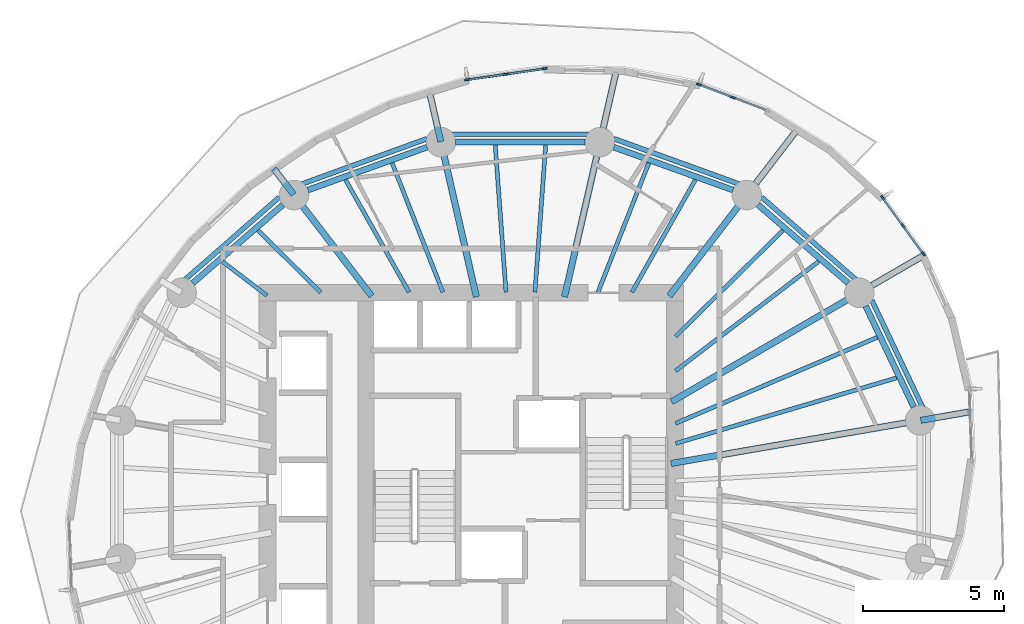
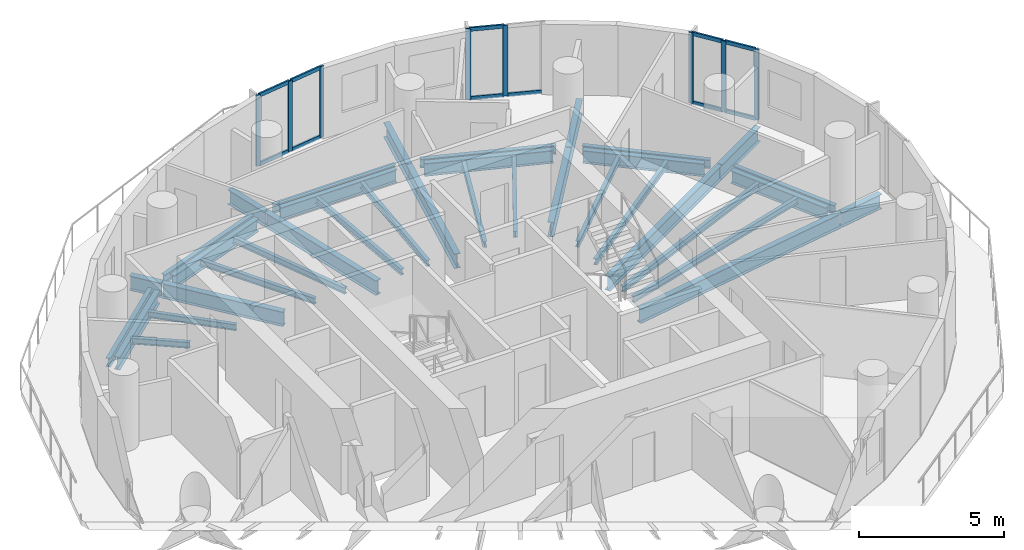
# One storey, part 3 of 14: 36 beams, 19 members, 3 elements without a shape of their own.
"""IFC4 building model written with IfcOpenShell, lengths in metres."""

from ifc_helpers import new_model, si_unit, direction, frame, origin, origin_2d, place, context, subcontext, project, spatial, rectangle, i_section, extrude, material, material_profile, profile_set, type_object, element, aggregate, save


model = new_model("IFC4")

# Units and contexts
model_context = context("Model", 3, precision=1e-05, world=origin(), true_north=direction((0.0, 1.0)))
body_context = subcontext(model_context, "Body", "Model", "MODEL_VIEW")
ifc_project = project(units=[si_unit("LENGTHUNIT", "METRE"), si_unit("AREAUNIT", "SQUARE_METRE"), si_unit("VOLUMEUNIT", "CUBIC_METRE"), si_unit("PLANEANGLEUNIT", "RADIAN"), si_unit("MASSUNIT", "GRAM", prefix="KILO")], contexts=[model_context])

# Site, building, storey
site_placement = place(None, origin())
site = spatial("IfcSite", under=ifc_project, at=site_placement, CompositionType="ELEMENT")
building_placement = place(site_placement, origin())
building = spatial("IfcBuilding", under=site, at=building_placement, Name="Veldorim Arch Residences", CompositionType="ELEMENT")
storey_placement = place(building_placement, frame((0.0, 0.0, 126.56005859375)))
storey = spatial("IfcBuildingStorey", under=building, at=storey_placement, Name="L37", CompositionType="ELEMENT", Elevation=126.56005859375)

# Beams
ifc_material_1 = material(Name="Steel S355", Category="steel")
ifc_material_profile_1 = material_profile(ifc_material_1, i_section(OverallWidth=0.2099609375, OverallDepth=0.53662109375, WebThickness=0.0107421875, FlangeThickness=0.017333984375, at=origin_2d()), Name="UB533x210x101")
ifc_profile_set_1 = profile_set([ifc_material_profile_1], Name="Steel S355")
beam_type_1 = type_object("IfcBeamType", Name="Structural Steel Beam UB533x210x101", PredefinedType="BEAM", material=ifc_profile_set_1)
beam_1_placement = place(storey_placement, frame((45.99560546875, 26.931884765625, -0.508544921875), z_axis=(-0.43028577851, 0.902692721147, 0.0), x_axis=(-0.902692721147, -0.43028577851, 0.0)))
element("IfcBeam", 1, at=beam_1_placement, inside=storey, type_object=beam_type_1, Name="L37 perimeter ring tie beam 01", PredefinedType="BEAM", context=body_context, shape_type="SweptSolid", body=[
    extrude(i_section(OverallWidth=0.2099609375, OverallDepth=0.53662109375, WebThickness=0.0107421875, FlangeThickness=0.017333984375, at=origin_2d()), origin(), (0.0, 0.0, 1.0), 3.98193359375),
])
beam_2_placement = place(storey_placement, frame((43.659912109375, 31.344482421875, -0.508544921875), z_axis=(-0.754810789581, 0.655942582802, 0.0), x_axis=(-0.655942582802, -0.754810789581, 0.0)))
element("IfcBeam", 2, at=beam_2_placement, inside=storey, type_object=beam_type_1, Name="L37 perimeter ring tie beam 02", PredefinedType="BEAM", context=body_context, shape_type="SweptSolid", body=[
    extrude(i_section(OverallWidth=0.2099609375, OverallDepth=0.53662109375, WebThickness=0.0107421875, FlangeThickness=0.017333984375, at=origin_2d()), origin(), (0.0, 0.0, 1.0), 4.249755859375),
])
beam_3_placement = place(storey_placement, frame((39.561767578125, 34.654296875, -0.508544921875), z_axis=(-0.940899155006, 0.338686846673, 0.0), x_axis=(-0.338686846673, -0.940899155006, 0.0)))
element("IfcBeam", 3, at=beam_3_placement, inside=storey, type_object=beam_type_1, Name="L37 perimeter ring tie beam 03", PredefinedType="BEAM", context=body_context, shape_type="SweptSolid", body=[
    extrude(i_section(OverallWidth=0.2099609375, OverallDepth=0.53662109375, WebThickness=0.0107421875, FlangeThickness=0.017333984375, at=origin_2d()), origin(), (0.0, 0.0, 1.0), 4.50537109375),
])
beam_4_placement = place(storey_placement, frame((34.3037109375, 36.35791015625, -0.508544921875), z_axis=(-1.0, 0.0, 0.0), x_axis=(0.0, -1.0, 0.0)))
element("IfcBeam", 4, at=beam_4_placement, inside=storey, type_object=beam_type_1, Name="L37 perimeter ring tie beam 04", PredefinedType="BEAM", context=body_context, shape_type="SweptSolid", body=[
    extrude(i_section(OverallWidth=0.2099609375, OverallDepth=0.53662109375, WebThickness=0.0107421875, FlangeThickness=0.017333984375, at=origin_2d()), origin(), (0.0, 0.0, 1.0), 4.607421875),
])
beam_5_placement = place(storey_placement, frame((28.67724609375, 36.18017578125, -0.508544921875), z_axis=(-0.940899155006, -0.338686846673, 0.0), x_axis=(0.338686846673, -0.940899155006, 0.0)))
element("IfcBeam", 5, at=beam_5_placement, inside=storey, type_object=beam_type_1, Name="L37 perimeter ring tie beam 05", PredefinedType="BEAM", context=body_context, shape_type="SweptSolid", body=[
    extrude(i_section(OverallWidth=0.2099609375, OverallDepth=0.53662109375, WebThickness=0.0107421875, FlangeThickness=0.017333984375, at=origin_2d()), origin(), (0.0, 0.0, 1.0), 4.50537109375),
])
beam_6_placement = place(storey_placement, frame((23.5478515625, 34.132080078125, -0.508544921875), z_axis=(-0.754810789581, -0.655942582802, 0.0), x_axis=(0.655942582802, -0.754810789581, 0.0)))
element("IfcBeam", 6, at=beam_6_placement, inside=storey, type_object=beam_type_1, Name="L37 perimeter ring tie beam 06", PredefinedType="BEAM", context=body_context, shape_type="SweptSolid", body=[
    extrude(i_section(OverallWidth=0.2099609375, OverallDepth=0.53662109375, WebThickness=0.0107421875, FlangeThickness=0.017333984375, at=origin_2d()), origin(), (0.0, 0.0, 1.0), 4.249755859375),
])
ifc_material_2 = material(Name="Steel S355", Category="steel")
ifc_material_profile_2 = material_profile(ifc_material_2, i_section(OverallWidth=0.22900390625, OverallDepth=0.6123046875, WebThickness=0.011962890625, FlangeThickness=0.01953125, at=origin_2d()), Name="UB610x229x125")
ifc_profile_set_2 = profile_set([ifc_material_profile_2], Name="Steel S355")
beam_type_2 = type_object("IfcBeamType", Name="Structural Steel Beam UB610x229x125", PredefinedType="BEAM", material=ifc_profile_set_2)
beam_7_placement = place(storey_placement, frame((37.352294921875, 24.925048828125, -0.546142578125), z_axis=(0.985389398766, 0.170316566427, 0.0), x_axis=(-0.170316566427, 0.985389398766, 0.0)))
element("IfcBeam", 7, at=beam_7_placement, inside=storey, type_object=beam_type_2, Name="L37 radial floor girder 01", PredefinedType="BEAM", context=body_context, shape_type="SweptSolid", body=[
    extrude(i_section(OverallWidth=0.22900390625, OverallDepth=0.6123046875, WebThickness=0.011962890625, FlangeThickness=0.01953125, at=origin_2d()), origin(), (0.0, 0.0, 1.0), 8.98046875),
])
beam_8_placement = place(storey_placement, frame((46.2412109375, 26.46142578125, -0.546142578125), z_axis=(0.985382949726, 0.170353874007, 0.0), x_axis=(-0.170353874007, 0.985382949726, 0.0)))
element("IfcBeam", 8, at=beam_8_placement, inside=storey, type_object=beam_type_2, Name="L37 radial edge cantilever girder 01", PredefinedType="BEAM", context=body_context, shape_type="SweptSolid", body=[
    extrude(i_section(OverallWidth=0.22900390625, OverallDepth=0.6123046875, WebThickness=0.011962890625, FlangeThickness=0.01953125, at=origin_2d()), origin(), (0.0, 0.0, 1.0), 1.774169921875),
])
beam_9_placement = place(storey_placement, frame((37.370361328125, 27.1181640625, -0.546142578125), z_axis=(0.864793381443, 0.502127879542, 0.0), x_axis=(-0.502127879542, 0.864793381443, 0.0)))
element("IfcBeam", 9, at=beam_9_placement, inside=storey, type_object=beam_type_2, Name="L37 radial floor girder 02", PredefinedType="BEAM", context=body_context, shape_type="SweptSolid", body=[
    extrude(i_section(OverallWidth=0.22900390625, OverallDepth=0.6123046875, WebThickness=0.011962890625, FlangeThickness=0.01953125, at=origin_2d()), origin(), (0.0, 0.0, 1.0), 7.71142578125),
])
beam_10_placement = place(storey_placement, frame((44.073486328125, 31.01025390625, -0.546142578125), z_axis=(0.86480840732, 0.502102000223, 0.0), x_axis=(-0.502102000223, 0.86480840732, 0.0)))
element("IfcBeam", 10, at=beam_10_placement, inside=storey, type_object=beam_type_2, Name="L37 radial edge cantilever girder 02", PredefinedType="BEAM", context=body_context, shape_type="SweptSolid", body=[
    extrude(i_section(OverallWidth=0.22900390625, OverallDepth=0.6123046875, WebThickness=0.011962890625, FlangeThickness=0.01953125, at=origin_2d()), origin(), (0.0, 0.0, 1.0), 2.635986328125),
])
beam_11_placement = place(storey_placement, frame((37.291259765625, 30.881103515625, -0.546142578125), z_axis=(0.609559199361, 0.792740551804, 0.0), x_axis=(-0.792740551804, 0.609559199361, 0.0)))
element("IfcBeam", 11, at=beam_11_placement, inside=storey, type_object=beam_type_2, Name="L37 radial floor girder 03", PredefinedType="BEAM", context=body_context, shape_type="SweptSolid", body=[
    extrude(i_section(OverallWidth=0.22900390625, OverallDepth=0.6123046875, WebThickness=0.011962890625, FlangeThickness=0.01953125, at=origin_2d()), origin(), (0.0, 0.0, 1.0), 4.515380859375),
])
beam_12_placement = place(storey_placement, frame((40.068115234375, 34.492431640625, -0.546142578125), z_axis=(0.609529534144, 0.792763361291, 0.0), x_axis=(-0.792763361291, 0.609529534144, 0.0)))
element("IfcBeam", 12, at=beam_12_placement, inside=storey, type_object=beam_type_2, Name="L37 radial edge cantilever girder 03", PredefinedType="BEAM", context=body_context, shape_type="SweptSolid", body=[
    extrude(i_section(OverallWidth=0.22900390625, OverallDepth=0.6123046875, WebThickness=0.011962890625, FlangeThickness=0.01953125, at=origin_2d()), origin(), (0.0, 0.0, 1.0), 2.929931640625),
])
beam_13_placement = place(storey_placement, frame((33.56884765625, 30.853759765625, -0.546142578125), z_axis=(0.223119342184, 0.974791136164, 0.0), x_axis=(-0.974791136164, 0.223119342184, 0.0)))
element("IfcBeam", 13, at=beam_13_placement, inside=storey, type_object=beam_type_2, Name="L37 radial floor girder 04", PredefinedType="BEAM", context=body_context, shape_type="SweptSolid", body=[
    extrude(i_section(OverallWidth=0.22900390625, OverallDepth=0.6123046875, WebThickness=0.011962890625, FlangeThickness=0.01953125, at=origin_2d()), origin(), (0.0, 0.0, 1.0), 5.62646484375),
])
beam_14_placement = place(storey_placement, frame((34.833251953125, 36.37744140625, -0.546142578125), z_axis=(0.223192924024, 0.974774291139, 0.0), x_axis=(-0.974774291139, 0.223192924024, 0.0)))
element("IfcBeam", 14, at=beam_14_placement, inside=storey, type_object=beam_type_2, Name="L37 radial edge cantilever girder 04", PredefinedType="BEAM", context=body_context, shape_type="SweptSolid", body=[
    extrude(i_section(OverallWidth=0.22900390625, OverallDepth=0.6123046875, WebThickness=0.011962890625, FlangeThickness=0.01953125, at=origin_2d()), origin(), (0.0, 0.0, 1.0), 2.611083984375),
])
beam_15_placement = place(storey_placement, frame((30.43115234375, 30.853759765625, -0.546142578125), z_axis=(-0.223119342184, 0.974791136164, 0.0), x_axis=(-0.974791136164, -0.223119342184, 0.0)))
element("IfcBeam", 15, at=beam_15_placement, inside=storey, type_object=beam_type_2, Name="L37 radial floor girder 05", PredefinedType="BEAM", context=body_context, shape_type="SweptSolid", body=[
    extrude(i_section(OverallWidth=0.22900390625, OverallDepth=0.6123046875, WebThickness=0.011962890625, FlangeThickness=0.01953125, at=origin_2d()), origin(), (0.0, 0.0, 1.0), 5.62646484375),
])
beam_16_placement = place(storey_placement, frame((29.166748046875, 36.37744140625, -0.546142578125), z_axis=(-0.223180402263, 0.974777158147, 0.0), x_axis=(-0.974777158147, -0.223180402263, 0.0)))
element("IfcBeam", 16, at=beam_16_placement, inside=storey, type_object=beam_type_2, Name="L37 radial edge cantilever girder 05", PredefinedType="BEAM", context=body_context, shape_type="SweptSolid", body=[
    extrude(i_section(OverallWidth=0.22900390625, OverallDepth=0.6123046875, WebThickness=0.011962890625, FlangeThickness=0.01953125, at=origin_2d()), origin(), (0.0, 0.0, 1.0), 1.826904296875),
])
beam_17_placement = place(storey_placement, frame((26.708740234375, 30.881103515625, -0.546142578125), z_axis=(-0.609559199361, 0.792740551804, 0.0), x_axis=(-0.792740551804, -0.609559199361, 0.0)))
element("IfcBeam", 17, at=beam_17_placement, inside=storey, type_object=beam_type_2, Name="L37 radial floor girder 06", PredefinedType="BEAM", context=body_context, shape_type="SweptSolid", body=[
    extrude(i_section(OverallWidth=0.22900390625, OverallDepth=0.6123046875, WebThickness=0.011962890625, FlangeThickness=0.01953125, at=origin_2d()), origin(), (0.0, 0.0, 1.0), 4.515380859375),
])
beam_18_placement = place(storey_placement, frame((23.931884765625, 34.492431640625, -0.546142578125), z_axis=(-0.609538125584, 0.792756755543, 0.0), x_axis=(-0.792756755543, -0.609538125584, 0.0)))
element("IfcBeam", 18, at=beam_18_placement, inside=storey, type_object=beam_type_2, Name="L37 radial edge cantilever girder 06", PredefinedType="BEAM", context=body_context, shape_type="SweptSolid", body=[
    extrude(i_section(OverallWidth=0.22900390625, OverallDepth=0.6123046875, WebThickness=0.011962890625, FlangeThickness=0.01953125, at=origin_2d()), origin(), (0.0, 0.0, 1.0), 1.161865234375),
])
ifc_material_3 = material(Name="Steel S355", Category="steel")
ifc_material_profile_3 = material_profile(ifc_material_3, i_section(OverallWidth=0.146484375, OverallDepth=0.256103515625, WebThickness=0.00634765625, FlangeThickness=0.010986328125, at=origin_2d()), Name="UB254x146x37")
ifc_profile_set_3 = profile_set([ifc_material_profile_3], Name="Steel S355")
beam_type_3 = type_object("IfcBeamType", Name="Structural Steel Joist UB254x146x37", PredefinedType="JOIST", material=ifc_profile_set_3)
beam_19_placement = place(storey_placement, frame((37.519287109375, 25.63818359375, -0.3681640625), z_axis=(0.958674276305, 0.284505943614, 0.0), x_axis=(-0.284505943614, 0.958674276305, 0.0)))
element("IfcBeam", 19, at=beam_19_placement, inside=storey, type_object=beam_type_3, Name="L37 secondary radial floor joist 01-1", PredefinedType="JOIST", context=body_context, shape_type="SweptSolid", body=[
    extrude(i_section(OverallWidth=0.146484375, OverallDepth=0.256103515625, WebThickness=0.00634765625, FlangeThickness=0.010986328125, at=origin_2d()), origin(), (0.0, 0.0, 1.0), 8.2001953125),
])
beam_20_placement = place(storey_placement, frame((37.518310546875, 26.353515625, -0.3681640625), z_axis=(0.919831795434, 0.39231297214, 0.0), x_axis=(-0.39231297214, 0.919831795434, 0.0)))
element("IfcBeam", 20, at=beam_20_placement, inside=storey, type_object=beam_type_3, Name="L37 secondary radial floor joist 01-2", PredefinedType="JOIST", context=body_context, shape_type="SweptSolid", body=[
    extrude(i_section(OverallWidth=0.146484375, OverallDepth=0.256103515625, WebThickness=0.00634765625, FlangeThickness=0.010986328125, at=origin_2d()), origin(), (0.0, 0.0, 1.0), 7.798828125),
])
beam_21_placement = place(storey_placement, frame((37.515869140625, 28.219482421875, -0.3681640625), z_axis=(0.794267053144, 0.607568801281, 0.0), x_axis=(-0.607568801281, 0.794267053144, 0.0)))
element("IfcBeam", 21, at=beam_21_placement, inside=storey, type_object=beam_type_3, Name="L37 secondary radial floor joist 02-1", PredefinedType="JOIST", context=body_context, shape_type="SweptSolid", body=[
    extrude(i_section(OverallWidth=0.146484375, OverallDepth=0.256103515625, WebThickness=0.00634765625, FlangeThickness=0.010986328125, at=origin_2d()), origin(), (0.0, 0.0, 1.0), 6.412841796875),
])
beam_22_placement = place(storey_placement, frame((37.51416015625, 29.443115234375, -0.3681640625), z_axis=(0.711703457158, 0.702480027523, 0.0), x_axis=(-0.702480027523, 0.711703457158, 0.0)))
element("IfcBeam", 22, at=beam_22_placement, inside=storey, type_object=beam_type_3, Name="L37 secondary radial floor joist 02-2", PredefinedType="JOIST", context=body_context, shape_type="SweptSolid", body=[
    extrude(i_section(OverallWidth=0.146484375, OverallDepth=0.256103515625, WebThickness=0.00634765625, FlangeThickness=0.010986328125, at=origin_2d()), origin(), (0.0, 0.0, 1.0), 5.373291015625),
])
beam_23_placement = place(storey_placement, frame((35.96337890625, 31.017333984375, -0.3681640625), z_axis=(0.491815801586, 0.870699269157, 0.0), x_axis=(-0.870699269157, 0.491815801586, 0.0)))
element("IfcBeam", 23, at=beam_23_placement, inside=storey, type_object=beam_type_3, Name="L37 secondary radial floor joist 03-1", PredefinedType="JOIST", context=body_context, shape_type="SweptSolid", body=[
    extrude(i_section(OverallWidth=0.146484375, OverallDepth=0.256103515625, WebThickness=0.00634765625, FlangeThickness=0.010986328125, at=origin_2d()), origin(), (0.0, 0.0, 1.0), 4.59814453125),
])
beam_24_placement = place(storey_placement, frame((34.7587890625, 31.0185546875, -0.3681640625), z_axis=(0.365777738491, 0.930702232739, 0.0), x_axis=(-0.930702232739, 0.365777738491, 0.0)))
element("IfcBeam", 24, at=beam_24_placement, inside=storey, type_object=beam_type_3, Name="L37 secondary radial floor joist 03-2", PredefinedType="JOIST", context=body_context, shape_type="SweptSolid", body=[
    extrude(i_section(OverallWidth=0.146484375, OverallDepth=0.256103515625, WebThickness=0.00634765625, FlangeThickness=0.010986328125, at=origin_2d()), origin(), (0.0, 0.0, 1.0), 4.9404296875),
])
for number, where, z_axis, x_axis, name in (
    (25, (32.51416015625, 31.02001953125, -0.3681640625), (0.073060364166, 0.997327520521, 0.0), (-0.997327520521, 0.073060364166, 0.0), "L37 secondary radial floor joist 04-1"),
    (26, (31.48583984375, 31.02001953125, -0.3681640625), (-0.073060364166, 0.997327520521, 0.0), (-0.997327520521, -0.073060364166, 0.0), "L37 secondary radial floor joist 04-2"),
):
    element("IfcBeam", number, at=place(storey_placement, frame(where, z_axis=z_axis, x_axis=x_axis)), inside=storey, type_object=beam_type_3, Name=name, PredefinedType="JOIST", context=body_context, shape_type="SweptSolid", body=[
        extrude(i_section(OverallWidth=0.146484375, OverallDepth=0.256103515625, WebThickness=0.00634765625, FlangeThickness=0.010986328125, at=origin_2d()), origin(), (0.0, 0.0, 1.0), 5.242919921875),
    ])
beam_25_placement = place(storey_placement, frame((29.2412109375, 31.0185546875, -0.3681640625), z_axis=(-0.365777738491, 0.930702232739, 0.0), x_axis=(-0.930702232739, -0.365777738491, 0.0)))
element("IfcBeam", 27, at=beam_25_placement, inside=storey, type_object=beam_type_3, Name="L37 secondary radial floor joist 05-1", PredefinedType="JOIST", context=body_context, shape_type="SweptSolid", body=[
    extrude(i_section(OverallWidth=0.146484375, OverallDepth=0.256103515625, WebThickness=0.00634765625, FlangeThickness=0.010986328125, at=origin_2d()), origin(), (0.0, 0.0, 1.0), 4.9404296875),
])
beam_26_placement = place(storey_placement, frame((28.03662109375, 31.017333984375, -0.3681640625), z_axis=(-0.491815801586, 0.870699269157, 0.0), x_axis=(-0.870699269157, -0.491815801586, 0.0)))
element("IfcBeam", 28, at=beam_26_placement, inside=storey, type_object=beam_type_3, Name="L37 secondary radial floor joist 05-2", PredefinedType="JOIST", context=body_context, shape_type="SweptSolid", body=[
    extrude(i_section(OverallWidth=0.146484375, OverallDepth=0.256103515625, WebThickness=0.00634765625, FlangeThickness=0.010986328125, at=origin_2d()), origin(), (0.0, 0.0, 1.0), 4.59814453125),
])
beam_27_placement = place(storey_placement, frame((24.894287109375, 31.013916015625, -0.3681640625), z_axis=(-0.711683379532, 0.702500368183, 0.0), x_axis=(-0.702500368183, -0.711683379532, 0.0)))
element("IfcBeam", 29, at=beam_27_placement, inside=storey, type_object=beam_type_3, Name="L37 secondary radial floor joist 06-1", PredefinedType="JOIST", context=body_context, shape_type="SweptSolid", body=[
    extrude(i_section(OverallWidth=0.146484375, OverallDepth=0.256103515625, WebThickness=0.00634765625, FlangeThickness=0.010986328125, at=origin_2d()), origin(), (0.0, 0.0, 1.0), 3.13720703125),
])
beam_28_placement = place(storey_placement, frame((22.984130859375, 30.89697265625, -0.3681640625), z_axis=(-0.794312925337, 0.607508828448, 0.0), x_axis=(-0.607508828448, -0.794312925337, 0.0)))
element("IfcBeam", 30, at=beam_28_placement, inside=storey, type_object=beam_type_3, Name="L37 secondary radial floor joist 06-2", PredefinedType="JOIST", context=body_context, shape_type="SweptSolid", body=[
    extrude(i_section(OverallWidth=0.146484375, OverallDepth=0.256103515625, WebThickness=0.00634765625, FlangeThickness=0.010986328125, at=origin_2d()), origin(), (0.0, 0.0, 1.0), 2.006103515625),
])
ifc_material_4 = material(Name="Steel S355", Category="steel")
ifc_material_profile_4 = material_profile(ifc_material_4, i_section(OverallWidth=0.172119140625, OverallDepth=0.35791015625, WebThickness=0.008056640625, FlangeThickness=0.012939453125, at=origin_2d()), Name="UB356x171x57")
ifc_profile_set_4 = profile_set([ifc_material_profile_4], Name="Steel S355")
beam_type_4 = type_object("IfcBeamType", Name="Structural Steel Spandrel UB356x171x57", PredefinedType="SPANDREL", material=ifc_profile_set_4)
beam_29_placement = place(storey_placement, frame((46.307861328125, 26.9248046875, -0.43896484375), z_axis=(-0.428579957662, 0.903503857153, 0.0), x_axis=(-0.903503857153, -0.428579957662, 0.0)))
element("IfcBeam", 31, at=beam_29_placement, inside=storey, type_object=beam_type_4, Name="L37 perimeter chord spandrel beam 01", PredefinedType="SPANDREL", context=body_context, shape_type="SweptSolid", body=[
    extrude(i_section(OverallWidth=0.172119140625, OverallDepth=0.35791015625, WebThickness=0.008056640625, FlangeThickness=0.012939453125, at=origin_2d()), origin(), (0.0, 0.0, 1.0), 4.209228515625),
])
beam_30_placement = place(storey_placement, frame((43.9580078125, 31.44921875, -0.43896484375), z_axis=(-0.753014748982, 0.658003638148, 0.0), x_axis=(-0.658003638148, -0.753014748982, 0.0)))
element("IfcBeam", 32, at=beam_30_placement, inside=storey, type_object=beam_type_4, Name="L37 perimeter chord spandrel beam 02", PredefinedType="SPANDREL", context=body_context, shape_type="SweptSolid", body=[
    extrude(i_section(OverallWidth=0.172119140625, OverallDepth=0.35791015625, WebThickness=0.008056640625, FlangeThickness=0.012939453125, at=origin_2d()), origin(), (0.0, 0.0, 1.0), 4.486572265625),
])
beam_31_placement = place(storey_placement, frame((39.79736328125, 34.86279296875, -0.43896484375), z_axis=(-0.940212553113, 0.340588248429, 0.0), x_axis=(-0.340588248429, -0.940212553113, 0.0)))
element("IfcBeam", 33, at=beam_31_placement, inside=storey, type_object=beam_type_4, Name="L37 perimeter chord spandrel beam 03", PredefinedType="SPANDREL", context=body_context, shape_type="SweptSolid", body=[
    extrude(i_section(OverallWidth=0.172119140625, OverallDepth=0.35791015625, WebThickness=0.008056640625, FlangeThickness=0.012939453125, at=origin_2d()), origin(), (0.0, 0.0, 1.0), 4.75390625),
])
beam_32_placement = place(storey_placement, frame((34.43115234375, 36.639404296875, -0.43896484375), z_axis=(-1.0, 0.0, 0.0), x_axis=(0.0, -1.0, 0.0)))
element("IfcBeam", 34, at=beam_32_placement, inside=storey, type_object=beam_type_4, Name="L37 perimeter chord spandrel beam 04", PredefinedType="SPANDREL", context=body_context, shape_type="SweptSolid", body=[
    extrude(i_section(OverallWidth=0.172119140625, OverallDepth=0.35791015625, WebThickness=0.008056640625, FlangeThickness=0.012939453125, at=origin_2d()), origin(), (0.0, 0.0, 1.0), 4.8623046875),
])
beam_33_placement = place(storey_placement, frame((28.67236328125, 36.48193359375, -0.43896484375), z_axis=(-0.940212553113, -0.340588248429, 0.0), x_axis=(0.340588248429, -0.940212553113, 0.0)))
element("IfcBeam", 35, at=beam_33_placement, inside=storey, type_object=beam_type_4, Name="L37 perimeter chord spandrel beam 05", PredefinedType="SPANDREL", context=body_context, shape_type="SweptSolid", body=[
    extrude(i_section(OverallWidth=0.172119140625, OverallDepth=0.35791015625, WebThickness=0.008056640625, FlangeThickness=0.012939453125, at=origin_2d()), origin(), (0.0, 0.0, 1.0), 4.75390625),
])
beam_34_placement = place(storey_placement, frame((23.42041015625, 34.4013671875, -0.43896484375), z_axis=(-0.753014748982, -0.658003638148, 0.0), x_axis=(0.658003638148, -0.753014748982, 0.0)))
element("IfcBeam", 36, at=beam_34_placement, inside=storey, type_object=beam_type_4, Name="L37 perimeter chord spandrel beam 06", PredefinedType="SPANDREL", context=body_context, shape_type="SweptSolid", body=[
    extrude(i_section(OverallWidth=0.172119140625, OverallDepth=0.35791015625, WebThickness=0.008056640625, FlangeThickness=0.012939453125, at=origin_2d()), origin(), (0.0, 0.0, 1.0), 4.486572265625),
])

# Curtain wall, members
ifc_material_5 = material(Name="Aluminium", Category="aluminium")
curtain_wall_type = type_object("IfcCurtainWallType", Name="Zone 3 High-Wind Unitised Curtain Wall", PredefinedType="NOTDEFINED", material=ifc_material_5)
curtain_wall_1_placement = place(storey_placement, origin())
curtain_wall_1 = element("IfcCurtainWall", 37, at=curtain_wall_1_placement, inside=storey, type_object=curtain_wall_type, Name="L37 unitised curtain wall bay 01", PredefinedType="NOTDEFINED")
ifc_material_6 = material(Name="Aluminium", Category="aluminium")
ifc_material_profile_5 = material_profile(ifc_material_6, rectangle(XDim=0.070068359375, YDim=0.179931640625, at=origin_2d()), Name="ALU_MUL_70x180")
ifc_profile_set_5 = profile_set([ifc_material_profile_5], Name="Aluminium")
member_type_1 = type_object("IfcMemberType", Name="Zone 3 High-Wind Unitised Curtain Wall Mullion 70x180", PredefinedType="MULLION", material=ifc_profile_set_5)
member_1_placement = place(storey_placement, frame((44.88623046875, 34.3798828125, 0.0), z_axis=(0.0, 0.0, 1.0), x_axis=(0.809162484713, 0.587584949886, 0.0)))
member_1 = element("IfcMember", 38, at=member_1_placement, type_object=member_type_1, Name="CW-Z3 mullion 1", PredefinedType="MULLION", context=body_context, shape_type="SweptSolid", body=[
    extrude(rectangle(XDim=0.070068359375, YDim=0.179931640625, at=origin_2d()), origin(), (0.0, 0.0, 1.0), 2.9599609375),
])
member_2_placement = place(storey_placement, frame((45.610107421875, 33.3828125, 0.0), z_axis=(0.0, 0.0, 1.0), x_axis=(0.809162484713, 0.587584949886, 0.0)))
member_2 = element("IfcMember", 39, at=member_2_placement, type_object=member_type_1, Name="CW-Z3 mullion 2", PredefinedType="MULLION", context=body_context, shape_type="SweptSolid", body=[
    extrude(rectangle(XDim=0.070068359375, YDim=0.179931640625, at=origin_2d()), origin(), (0.0, 0.0, 1.0), 2.9599609375),
])
member_3_placement = place(storey_placement, frame((46.334228515625, 32.385986328125, 0.0), z_axis=(0.0, 0.0, 1.0), x_axis=(0.809162484713, 0.587584949886, 0.0)))
member_3 = element("IfcMember", 40, at=member_3_placement, type_object=member_type_1, Name="CW-Z3 mullion 3", PredefinedType="MULLION", context=body_context, shape_type="SweptSolid", body=[
    extrude(rectangle(XDim=0.070068359375, YDim=0.179931640625, at=origin_2d()), origin(), (0.0, 0.0, 1.0), 2.9599609375),
])

curtain_wall_2_placement = place(storey_placement, origin())
curtain_wall_2 = element("IfcCurtainWall", 41, at=curtain_wall_2_placement, inside=storey, type_object=curtain_wall_type, Name="L37 unitised curtain wall bay 04", PredefinedType="NOTDEFINED")
member_4_placement = place(storey_placement, frame((38.352294921875, 38.409423828125, 0.0), z_axis=(0.0, 0.0, 1.0), x_axis=(0.356987085335, 0.934109319568, 0.0)))
member_4 = element("IfcMember", 42, at=member_4_placement, type_object=member_type_1, Name="CW-Z3 mullion 1", PredefinedType="MULLION", context=body_context, shape_type="SweptSolid", body=[
    extrude(rectangle(XDim=0.070068359375, YDim=0.179931640625, at=origin_2d()), origin(), (0.0, 0.0, 1.0), 2.9599609375),
])
member_5_placement = place(storey_placement, frame((39.56298828125, 37.94677734375, 0.0), z_axis=(0.0, 0.0, 1.0), x_axis=(0.356987085335, 0.934109319568, 0.0)))
member_5 = element("IfcMember", 43, at=member_5_placement, type_object=member_type_1, Name="CW-Z3 mullion 2", PredefinedType="MULLION", context=body_context, shape_type="SweptSolid", body=[
    extrude(rectangle(XDim=0.070068359375, YDim=0.179931640625, at=origin_2d()), origin(), (0.0, 0.0, 1.0), 2.9599609375),
])

curtain_wall_3_placement = place(storey_placement, origin())
curtain_wall_3 = element("IfcCurtainWall", 44, at=curtain_wall_3_placement, inside=storey, type_object=curtain_wall_type, Name="L37 unitised curtain wall bay 07", PredefinedType="NOTDEFINED")
member_6_placement = place(storey_placement, frame((30.1103515625, 38.580078125, 0.0), z_axis=(0.0, 0.0, 1.0), x_axis=(-0.142119625096, 0.989849489651, 0.0)))
member_6 = element("IfcMember", 45, at=member_6_placement, type_object=member_type_1, Name="CW-Z3 mullion 1", PredefinedType="MULLION", context=body_context, shape_type="SweptSolid", body=[
    extrude(rectangle(XDim=0.070068359375, YDim=0.179931640625, at=origin_2d()), origin(), (0.0, 0.0, 1.0), 2.9599609375),
])
member_7_placement = place(storey_placement, frame((31.484619140625, 38.77734375, 0.0), z_axis=(0.0, 0.0, 1.0), x_axis=(-0.142119625096, 0.989849489651, 0.0)))
member_7 = element("IfcMember", 46, at=member_7_placement, type_object=member_type_1, Name="CW-Z3 mullion 2", PredefinedType="MULLION", context=body_context, shape_type="SweptSolid", body=[
    extrude(rectangle(XDim=0.070068359375, YDim=0.179931640625, at=origin_2d()), origin(), (0.0, 0.0, 1.0), 2.9599609375),
])
member_8_placement = place(storey_placement, frame((32.859130859375, 38.974609375, 0.0), z_axis=(0.0, 0.0, 1.0), x_axis=(-0.142119625096, 0.989849489651, 0.0)))
member_8 = element("IfcMember", 47, at=member_8_placement, type_object=member_type_1, Name="CW-Z3 mullion 3", PredefinedType="MULLION", context=body_context, shape_type="SweptSolid", body=[
    extrude(rectangle(XDim=0.070068359375, YDim=0.179931640625, at=origin_2d()), origin(), (0.0, 0.0, 1.0), 2.9599609375),
])

# Member
ifc_material_7 = material(Name="Aluminium", Category="aluminium")
ifc_material_profile_6 = material_profile(ifc_material_7, rectangle(XDim=0.070068359375, YDim=0.155029296875, at=origin_2d()), Name="ALU_TRN_70x155")
ifc_profile_set_6 = profile_set([ifc_material_profile_6], Name="Aluminium")
member_type_2 = type_object("IfcMemberType", Name="Zone 3 High-Wind Unitised Curtain Wall Transom 70x155", PredefinedType="USERDEFINED", material=ifc_profile_set_6)
member_9_placement = place(storey_placement, frame((44.90673828125, 34.3515625, 0.034912109375), z_axis=(0.587559494022, -0.809180969243, 0.0), x_axis=(0.809180969243, 0.587559494022, 0.0)))
member_9 = element("IfcMember", 48, at=member_9_placement, type_object=member_type_2, Name="CW-Z3 transom 1.1", ObjectType="TRANSOM", PredefinedType="USERDEFINED", context=body_context, shape_type="SweptSolid", body=[
    extrude(rectangle(XDim=0.070068359375, YDim=0.155029296875, at=origin_2d()), origin(), (0.0, 0.0, 1.0), 1.162109375),
])

member_10_placement = place(storey_placement, frame((44.90673828125, 34.3515625, 2.925048828125), z_axis=(0.587559494022, -0.809180969243, 0.0), x_axis=(0.809180969243, 0.587559494022, 0.0)))
member_10 = element("IfcMember", 49, at=member_10_placement, type_object=member_type_2, Name="CW-Z3 transom 1.2", ObjectType="TRANSOM", PredefinedType="USERDEFINED", context=body_context, shape_type="SweptSolid", body=[
    extrude(rectangle(XDim=0.070068359375, YDim=0.155029296875, at=origin_2d()), origin(), (0.0, 0.0, 1.0), 1.162109375),
])

member_11_placement = place(storey_placement, frame((45.630859375, 33.3544921875, 0.034912109375), z_axis=(0.587521810484, -0.809208330534, 0.0), x_axis=(0.809208330534, 0.587521810484, 0.0)))
member_11 = element("IfcMember", 50, at=member_11_placement, type_object=member_type_2, Name="CW-Z3 transom 2.1", ObjectType="TRANSOM", PredefinedType="USERDEFINED", context=body_context, shape_type="SweptSolid", body=[
    extrude(rectangle(XDim=0.070068359375, YDim=0.155029296875, at=origin_2d()), origin(), (0.0, 0.0, 1.0), 1.161865234375),
])

member_12_placement = place(storey_placement, frame((45.630859375, 33.3544921875, 2.925048828125), z_axis=(0.587521810484, -0.809208330534, 0.0), x_axis=(0.809208330534, 0.587521810484, 0.0)))
member_12 = element("IfcMember", 51, at=member_12_placement, type_object=member_type_2, Name="CW-Z3 transom 2.2", ObjectType="TRANSOM", PredefinedType="USERDEFINED", context=body_context, shape_type="SweptSolid", body=[
    extrude(rectangle(XDim=0.070068359375, YDim=0.155029296875, at=origin_2d()), origin(), (0.0, 0.0, 1.0), 1.161865234375),
])

aggregate(curtain_wall_1, [member_1, member_2, member_3, member_9, member_10, member_11, member_12])

member_13_placement = place(storey_placement, frame((38.385009765625, 38.39697265625, 0.034912109375), z_axis=(0.934092855841, -0.357030162124, 0.0), x_axis=(0.357030162124, 0.934092855841, 0.0)))
member_13 = element("IfcMember", 52, at=member_13_placement, type_object=member_type_2, Name="CW-Z3 transom 1.1", ObjectType="TRANSOM", PredefinedType="USERDEFINED", context=body_context, shape_type="SweptSolid", body=[
    extrude(rectangle(XDim=0.070068359375, YDim=0.155029296875, at=origin_2d()), origin(), (0.0, 0.0, 1.0), 1.22607421875),
])

member_14_placement = place(storey_placement, frame((38.385009765625, 38.39697265625, 2.925048828125), z_axis=(0.934092855841, -0.357030162124, 0.0), x_axis=(0.357030162124, 0.934092855841, 0.0)))
member_14 = element("IfcMember", 53, at=member_14_placement, type_object=member_type_2, Name="CW-Z3 transom 1.2", ObjectType="TRANSOM", PredefinedType="USERDEFINED", context=body_context, shape_type="SweptSolid", body=[
    extrude(rectangle(XDim=0.070068359375, YDim=0.155029296875, at=origin_2d()), origin(), (0.0, 0.0, 1.0), 1.22607421875),
])

member_15_placement = place(storey_placement, frame((39.595703125, 37.934326171875, 0.034912109375), z_axis=(0.934067466256, -0.357096581449, 0.0), x_axis=(0.357096581449, 0.934067466256, 0.0)))
member_15 = element("IfcMember", 54, at=member_15_placement, type_object=member_type_2, Name="CW-Z3 transom 2.1", ObjectType="TRANSOM", PredefinedType="USERDEFINED", context=body_context, shape_type="SweptSolid", body=[
    extrude(rectangle(XDim=0.070068359375, YDim=0.155029296875, at=origin_2d()), origin(), (0.0, 0.0, 1.0), 1.225830078125),
])

aggregate(curtain_wall_2, [member_4, member_5, member_13, member_14, member_15])

member_16_placement = place(storey_placement, frame((30.14501953125, 38.5849609375, 0.034912109375), z_axis=(0.989834350319, 0.142225029195, 0.0), x_axis=(-0.142225029195, 0.989834350319, 0.0)))
member_16 = element("IfcMember", 55, at=member_16_placement, type_object=member_type_2, Name="CW-Z3 transom 1.1", ObjectType="TRANSOM", PredefinedType="USERDEFINED", context=body_context, shape_type="SweptSolid", body=[
    extrude(rectangle(XDim=0.070068359375, YDim=0.155029296875, at=origin_2d()), origin(), (0.0, 0.0, 1.0), 1.318359375),
])

member_17_placement = place(storey_placement, frame((30.14501953125, 38.5849609375, 2.925048828125), z_axis=(0.989834350319, 0.142225029195, 0.0), x_axis=(-0.142225029195, 0.989834350319, 0.0)))
member_17 = element("IfcMember", 56, at=member_17_placement, type_object=member_type_2, Name="CW-Z3 transom 1.2", ObjectType="TRANSOM", PredefinedType="USERDEFINED", context=body_context, shape_type="SweptSolid", body=[
    extrude(rectangle(XDim=0.070068359375, YDim=0.155029296875, at=origin_2d()), origin(), (0.0, 0.0, 1.0), 1.318359375),
])

member_18_placement = place(storey_placement, frame((31.519287109375, 38.782470703125, 0.034912109375), z_axis=(0.989864140626, 0.142017545054, 0.0), x_axis=(-0.142017545054, 0.989864140626, 0.0)))
member_18 = element("IfcMember", 57, at=member_18_placement, type_object=member_type_2, Name="CW-Z3 transom 2.1", ObjectType="TRANSOM", PredefinedType="USERDEFINED", context=body_context, shape_type="SweptSolid", body=[
    extrude(rectangle(XDim=0.070068359375, YDim=0.155029296875, at=origin_2d()), origin(), (0.0, 0.0, 1.0), 1.318603515625),
])

member_19_placement = place(storey_placement, frame((31.519287109375, 38.782470703125, 2.925048828125), z_axis=(0.989864140626, 0.142017545054, 0.0), x_axis=(-0.142017545054, 0.989864140626, 0.0)))
member_19 = element("IfcMember", 58, at=member_19_placement, type_object=member_type_2, Name="CW-Z3 transom 2.2", ObjectType="TRANSOM", PredefinedType="USERDEFINED", context=body_context, shape_type="SweptSolid", body=[
    extrude(rectangle(XDim=0.070068359375, YDim=0.155029296875, at=origin_2d()), origin(), (0.0, 0.0, 1.0), 1.318603515625),
])

aggregate(curtain_wall_3, [member_6, member_7, member_8, member_16, member_17, member_18, member_19])

save(model, "model.ifc")
